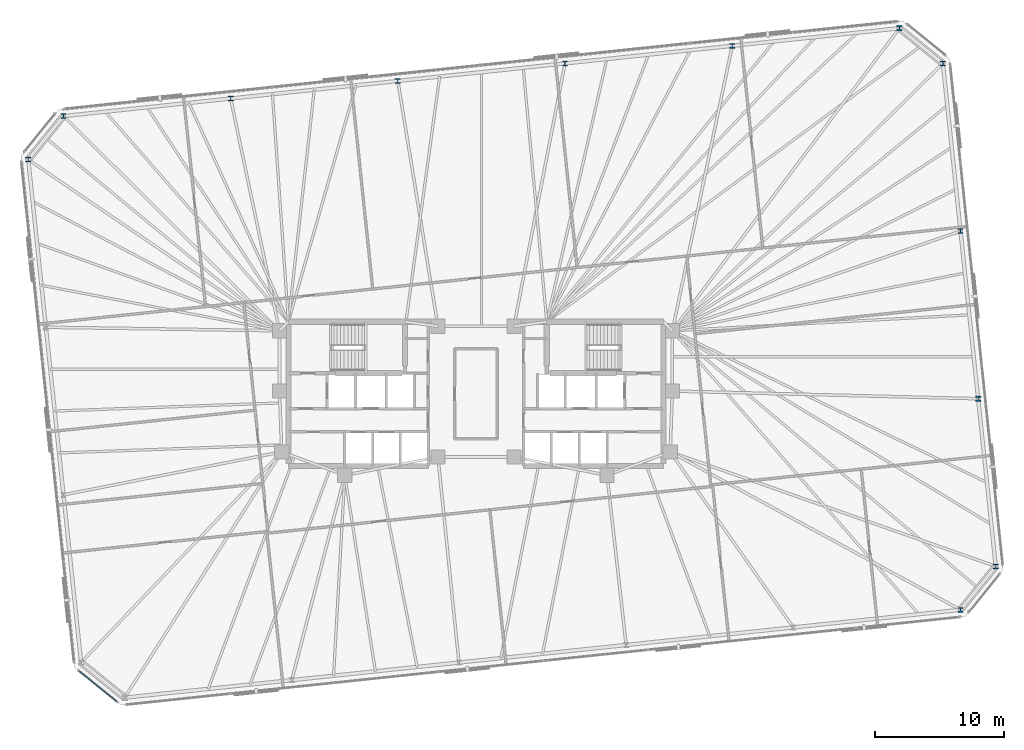
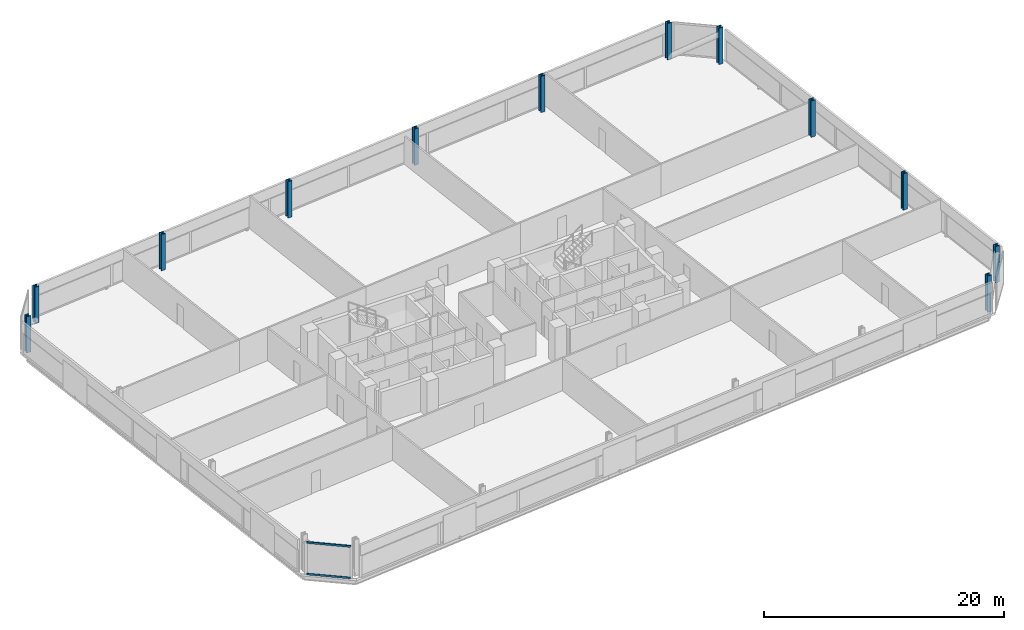
# One storey, part 5 of 18: 12 columns, 2 members, 1 element without a shape of its own.
"""IFC4 building model written with IfcOpenShell, lengths in metres."""

from ifc_helpers import new_model, si_unit, direction, frame, origin, origin_2d, place, context, subcontext, project, spatial, rectangle, i_section, extrude, material, material_profile, profile_set, type_object, element, aggregate, save


model = new_model("IFC4")

# Units and contexts
model_context = context("Model", 3, precision=1e-05, world=origin(), true_north=direction((0.0, 1.0)))
body_context = subcontext(model_context, "Body", "Model", "MODEL_VIEW")
ifc_project = project(units=[si_unit("LENGTHUNIT", "METRE"), si_unit("AREAUNIT", "SQUARE_METRE"), si_unit("VOLUMEUNIT", "CUBIC_METRE"), si_unit("PLANEANGLEUNIT", "RADIAN"), si_unit("MASSUNIT", "GRAM", prefix="KILO")], contexts=[model_context])

# Site, building, storey
site_placement = place(None, origin())
site = spatial("IfcSite", under=ifc_project, at=site_placement, CompositionType="ELEMENT")
building_placement = place(site_placement, origin())
building = spatial("IfcBuilding", under=site, at=building_placement, Name="Menara Jurai Vektor", CompositionType="ELEMENT")
storey_placement = place(building_placement, frame((0.0, 0.0, 139.199951171875)))
storey = spatial("IfcBuildingStorey", under=building, at=storey_placement, Name="L35", CompositionType="ELEMENT", Elevation=139.199951171875)

# Columns
ifc_material_1 = material(Name="Steel S460", Category="steel")
ifc_material_profile_1 = material_profile(ifc_material_1, i_section(OverallWidth=0.4130859375, OverallDepth=0.39794921875, WebThickness=0.055908203125, FlangeThickness=0.089111328125, FilletRadius=0.014892578125, at=origin_2d()), Name="HD 400x744")
ifc_profile_set_1 = profile_set([ifc_material_profile_1], Name="Steel S460")
column_type = type_object("IfcColumnType", Name="STR-EXO-BLK2", PredefinedType="COLUMN", material=ifc_profile_set_1)
for number, where, z_axis, x_axis, name in (
    (1, (37.621826171875, -16.76513671875, 0.0), (0.0, 0.0, 1.0), (1.0, 0.0, 0.0), "Exoskeleton Column BLK2-S6 L35"),
    (2, (40.356201171875, -13.388671875, 0.0), (0.0, 0.0, 1.0), (1.0, 0.0, 0.0), "Exoskeleton Column BLK2-E1 L35"),
    (3, (38.98828125, -0.375, 0.0), (0.0, 0.0, 1.0), (1.0, 0.0, 0.0), "Exoskeleton Column BLK2-E2 L35"),
    (4, (37.62060546875, 12.638427734375, 0.0), (0.0, 0.0, 1.0), (1.0, 0.0, 0.0), "Exoskeleton Column BLK2-E3 L35"),
    (5, (36.252685546875, 25.65185546875, 0.0), (0.0, 0.0, 1.0), (1.0, 0.0, 0.0), "Exoskeleton Column BLK2-E4 L35"),
    (6, (32.876220703125, 28.38623046875, 0.0), (0.0, 0.0, 1.0), (1.0, 0.0, 0.0), "Exoskeleton Column BLK2-N1 L35"),
    (7, (19.896728515625, 27.02197265625, 0.0), (0.0, 0.0, 1.0), (1.0, 0.0, 0.0), "Exoskeleton Column BLK2-N2 L35"),
    (8, (6.9169921875, 25.65771484375, 0.0), (0.0, 0.0, 1.0), (1.0, 0.0, 0.0), "Exoskeleton Column BLK2-N3 L35"),
    (9, (-6.0625, 24.29345703125, 0.0), (0.0, 0.0, 1.0), (1.0, 0.0, 0.0), "Exoskeleton Column BLK2-N4 L35"),
    (10, (-19.042236328125, 22.929443359375, 0.0), (0.0, 0.0, 1.0), (1.0, 0.0, 0.0), "Exoskeleton Column BLK2-N5 L35"),
    (11, (-32.02197265625, 21.565185546875, 0.0), (0.0, 0.0, 1.0), (1.0, 0.0, 0.0), "Exoskeleton Column BLK2-N6 L35"),
    (12, (-34.756103515625, 18.188720703125, 0.0), (0.0, 0.0, 1.0), (1.0, 0.0, 0.0), "Exoskeleton Column BLK2-W1 L35"),
):
    element("IfcColumn", number, at=place(storey_placement, frame(where, z_axis=z_axis, x_axis=x_axis)), inside=storey, type_object=column_type, Name=name, PredefinedType="COLUMN", context=body_context, shape_type="SweptSolid", body=[
        extrude(i_section(OverallWidth=0.4130859375, OverallDepth=0.39794921875, WebThickness=0.055908203125, FlangeThickness=0.089111328125, FilletRadius=0.014892578125, at=origin_2d()), origin(), (0.0, 0.0, 1.0), 3.699951171875),
    ])

# Curtain wall, members
ifc_material_2 = material(Name="Anodised Pale Aluminium & Low-E Double Glazing", Category="aluminium")
curtain_wall_type = type_object("IfcCurtainWallType", Name="CW-BLK2", PredefinedType="NOTDEFINED", material=ifc_material_2)
curtain_wall_placement = place(storey_placement, origin())
curtain_wall = element("IfcCurtainWall", 13, at=curtain_wall_placement, inside=storey, type_object=curtain_wall_type, Name="Unitised Curtain Wall L35 F08", PredefinedType="NOTDEFINED")
ifc_material_3 = material(Name="Anodised Pale Aluminium Transom", Category="aluminium")
ifc_material_profile_2 = material_profile(ifc_material_3, rectangle(XDim=0.090087890625, YDim=0.18505859375, at=origin_2d()), Name="ALU TRN 90x185")
ifc_profile_set_2 = profile_set([ifc_material_profile_2], Name="Anodised Pale Aluminium Transom")
member_type = type_object("IfcMemberType", Name="CW-BLK2-TRN", PredefinedType="USERDEFINED", material=ifc_profile_set_2)
member_1_placement = place(storey_placement, frame((-30.80078125, -21.525634765625, 0.045166015625), z_axis=(0.777128916205, -0.6293414396, 0.0), x_axis=(0.6293414396, 0.777128916205, 0.0)))
member_1 = element("IfcMember", 14, at=member_1_placement, type_object=member_type, Name="CW-02 transom 1.1", ObjectType="TRANSOM", PredefinedType="USERDEFINED", context=body_context, shape_type="SweptSolid", body=[
    extrude(rectangle(XDim=0.090087890625, YDim=0.18505859375, at=origin_2d()), origin(), (0.0, 0.0, 1.0), 3.726806640625),
])
member_2_placement = place(storey_placement, frame((-30.80078125, -21.525634765625, 3.25), z_axis=(0.777128916205, -0.6293414396, 0.0), x_axis=(0.6293414396, 0.777128916205, 0.0)))
member_2 = element("IfcMember", 15, at=member_2_placement, type_object=member_type, Name="CW-02 transom 1.2", ObjectType="TRANSOM", PredefinedType="USERDEFINED", context=body_context, shape_type="SweptSolid", body=[
    extrude(rectangle(XDim=0.090087890625, YDim=0.18505859375, at=origin_2d()), origin(), (0.0, 0.0, 1.0), 3.726806640625),
])
aggregate(curtain_wall, [member_1, member_2])

save(model, "model.ifc")
